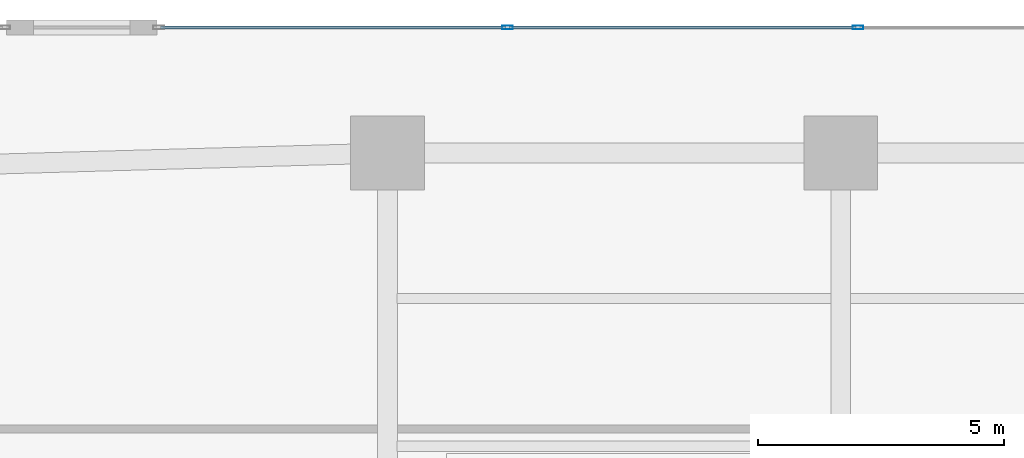
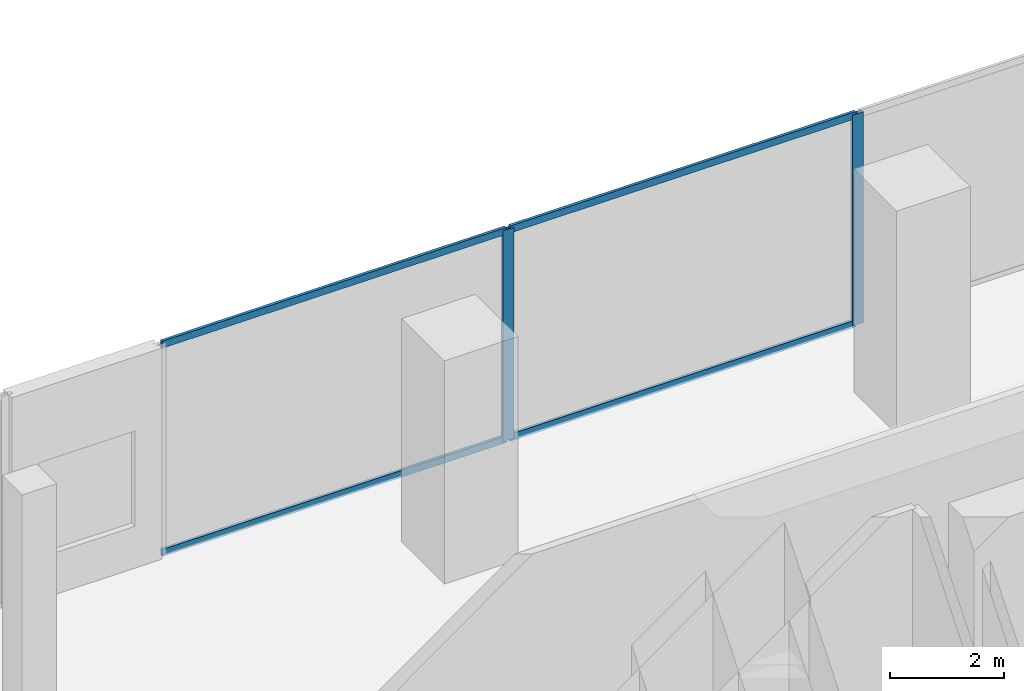
# One storey, part 17 of 33: 6 members, 1 element without a shape of its own.
"""IFC4 building model written with IfcOpenShell, lengths in metres."""

from ifc_helpers import new_model, si_unit, direction, frame, origin, origin_2d, place, context, subcontext, project, spatial, hollow_rectangle, extrude, material, layer, layer_set, material_profile, profile_set, type_object, element, aggregate, save


model = new_model("IFC4")

# Units and contexts
model_context = context("Model", 3, precision=1e-05, world=origin(), true_north=direction((0.0, 1.0)))
body_context = subcontext(model_context, "Body", "Model", "MODEL_VIEW")
ifc_project = project(units=[si_unit("LENGTHUNIT", "METRE"), si_unit("AREAUNIT", "SQUARE_METRE"), si_unit("VOLUMEUNIT", "CUBIC_METRE"), si_unit("PLANEANGLEUNIT", "RADIAN"), si_unit("MASSUNIT", "GRAM", prefix="KILO")], contexts=[model_context])

# Site, building, storey
site_placement = place(None, origin())
site = spatial("IfcSite", under=ifc_project, at=site_placement, CompositionType="ELEMENT")
building_placement = place(site_placement, origin())
building = spatial("IfcBuilding", under=site, at=building_placement, Name="Zuhayl Quay Hotel", CompositionType="ELEMENT")
storey_placement = place(building_placement, frame((0.0, 0.0, 18.0)))
storey = spatial("IfcBuildingStorey", under=building, at=storey_placement, Name="L03", CompositionType="ELEMENT", Elevation=18.0)

# Curtain wall, members
ifc_material_1 = material(Name="Anodised Aluminium 6063-T6", Category="aluminium")
ifc_layer = layer(ifc_material_1, 0.199951171875, Name="Anodised Aluminium 6063-T6", Category="aluminium")
ifc_layer_set = layer_set([ifc_layer], Name="Anodised Aluminium 6063-T6")
curtain_wall_type = type_object("IfcCurtainWallType", Name="CW_SYS_POD", PredefinedType="USERDEFINED", material=ifc_layer_set)
curtain_wall_placement = place(storey_placement, origin())
curtain_wall = element("IfcCurtainWall", 1, at=curtain_wall_placement, inside=storey, type_object=curtain_wall_type, Name="L03 Curtain Wall ENV_L03_E05_CW3", ObjectType="UNITISED CURTAIN WALL", PredefinedType="USERDEFINED")
ifc_material_2 = material(Name="Black-anodised aluminium 6063-T6", Category="aluminium")
ifc_material_profile_1 = material_profile(ifc_material_2, hollow_rectangle(XDim=0.074951171875, YDim=0.219970703125, WallThickness=0.00390625, at=origin_2d()), Name="ALU220X75")
ifc_profile_set_1 = profile_set([ifc_material_profile_1], Name="Black-anodised aluminium 6063-T6")
member_type_1 = type_object("IfcMemberType", Name="MB_CW_MUL_220", PredefinedType="MULLION", material=ifc_profile_set_1)
member_1_placement = place(storey_placement, frame((-11.362548828125, 25.0, 0.0), z_axis=(0.0, 0.0, 1.0), x_axis=(0.0, 1.0, 0.0)))
member_1 = element("IfcMember", 2, at=member_1_placement, type_object=member_type_1, Name="CW-POD mullion 2", PredefinedType="MULLION", context=body_context, shape_type="SweptSolid", body=[
    extrude(hollow_rectangle(XDim=0.074951171875, YDim=0.219970703125, WallThickness=0.00390625, at=origin_2d()), origin(), (0.0, 0.0, 1.0), 4.5400390625),
])
member_2_placement = place(storey_placement, frame((-4.25, 25.0, 0.0), z_axis=(0.0, 0.0, 1.0), x_axis=(0.0, 1.0, 0.0)))
member_2 = element("IfcMember", 3, at=member_2_placement, type_object=member_type_1, Name="CW-POD mullion 3", PredefinedType="MULLION", context=body_context, shape_type="SweptSolid", body=[
    extrude(hollow_rectangle(XDim=0.074951171875, YDim=0.219970703125, WallThickness=0.00390625, at=origin_2d()), origin(), (0.0, 0.0, 1.0), 4.5400390625),
])
ifc_material_profile_2 = material_profile(ifc_material_2, hollow_rectangle(XDim=0.06005859375, YDim=0.14990234375, WallThickness=0.00341796875, at=origin_2d()), Name="ALU150X60")
ifc_profile_set_2 = profile_set([ifc_material_profile_2], Name="Black-anodised aluminium 6063-T6")
member_type_2 = type_object("IfcMemberType", Name="MB_CW_TRN_150", PredefinedType="USERDEFINED", material=ifc_profile_set_2)
member_3_placement = place(storey_placement, frame((-18.39990234375, 25.0, 0.030029296875), z_axis=(1.0, 0.0, 0.0), x_axis=(0.0, 1.0, 0.0)))
member_3 = element("IfcMember", 4, at=member_3_placement, type_object=member_type_2, Name="CW-POD transom 1.1", ObjectType="TRANSOM", PredefinedType="USERDEFINED", context=body_context, shape_type="SweptSolid", body=[
    extrude(hollow_rectangle(XDim=0.06005859375, YDim=0.14990234375, WallThickness=0.00341796875, at=origin_2d()), origin(), (0.0, 0.0, 1.0), 7.0),
])
member_4_placement = place(storey_placement, frame((-18.39990234375, 25.0, 4.510009765625), z_axis=(1.0, 0.0, 0.0), x_axis=(0.0, 1.0, 0.0)))
member_4 = element("IfcMember", 5, at=member_4_placement, type_object=member_type_2, Name="CW-POD transom 1.2", ObjectType="TRANSOM", PredefinedType="USERDEFINED", context=body_context, shape_type="SweptSolid", body=[
    extrude(hollow_rectangle(XDim=0.06005859375, YDim=0.14990234375, WallThickness=0.00341796875, at=origin_2d()), origin(), (0.0, 0.0, 1.0), 7.0),
])
member_5_placement = place(storey_placement, frame((-11.324951171875, 25.0, 0.030029296875), z_axis=(1.0, 0.0, 0.0), x_axis=(0.0, 1.0, 0.0)))
member_5 = element("IfcMember", 6, at=member_5_placement, type_object=member_type_2, Name="CW-POD transom 2.1", ObjectType="TRANSOM", PredefinedType="USERDEFINED", context=body_context, shape_type="SweptSolid", body=[
    extrude(hollow_rectangle(XDim=0.06005859375, YDim=0.14990234375, WallThickness=0.00341796875, at=origin_2d()), origin(), (0.0, 0.0, 1.0), 7.037353515625),
])
member_6_placement = place(storey_placement, frame((-11.324951171875, 25.0, 4.510009765625), z_axis=(1.0, 0.0, 0.0), x_axis=(0.0, 1.0, 0.0)))
member_6 = element("IfcMember", 7, at=member_6_placement, type_object=member_type_2, Name="CW-POD transom 2.2", ObjectType="TRANSOM", PredefinedType="USERDEFINED", context=body_context, shape_type="SweptSolid", body=[
    extrude(hollow_rectangle(XDim=0.06005859375, YDim=0.14990234375, WallThickness=0.00341796875, at=origin_2d()), origin(), (0.0, 0.0, 1.0), 7.037353515625),
])
aggregate(curtain_wall, [member_1, member_2, member_3, member_4, member_5, member_6])

save(model, "model.ifc")
